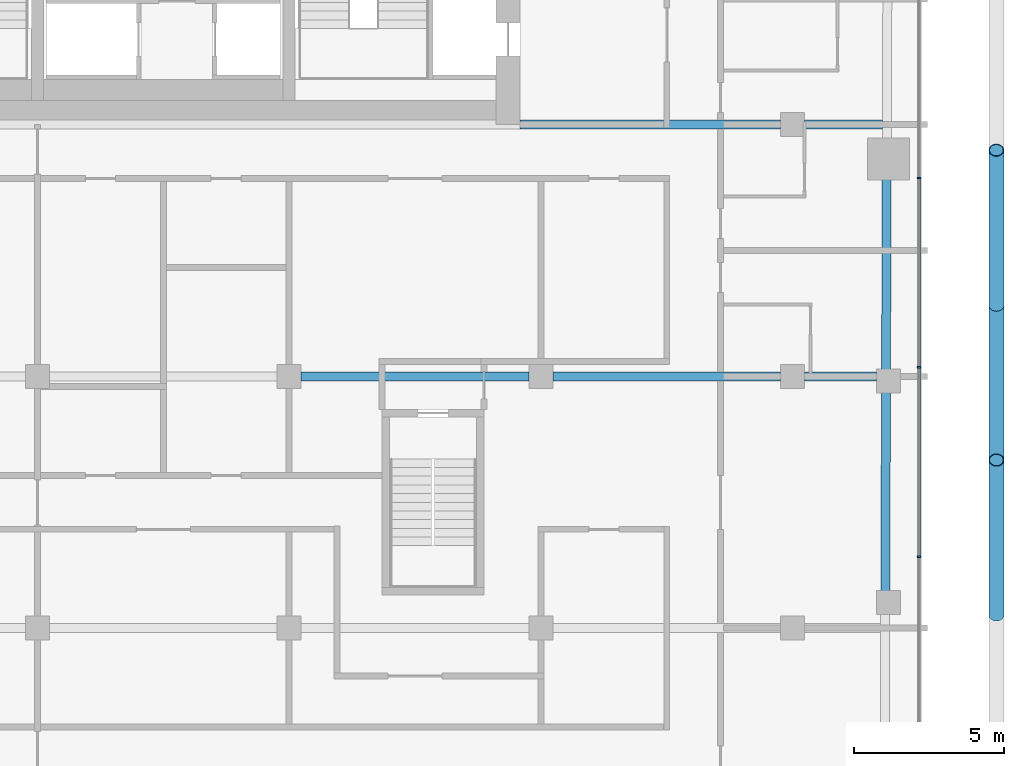
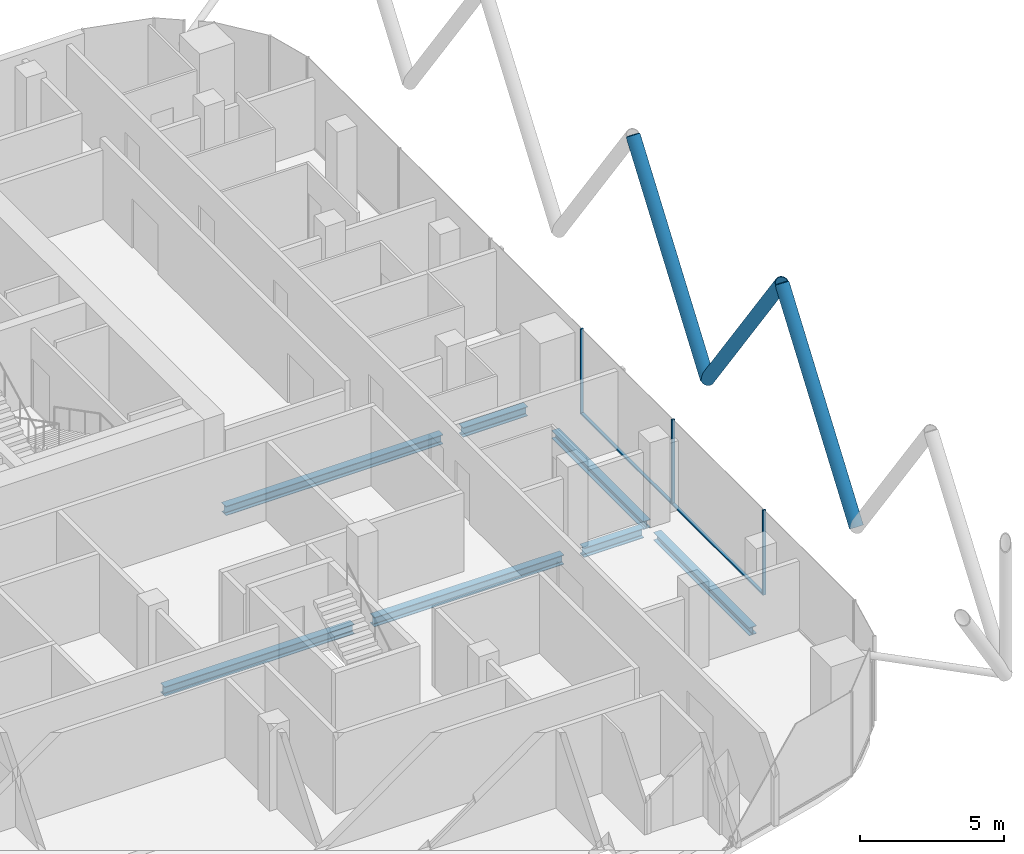
# One storey, part 7 of 28: 8 members, 7 beams, 1 element without a shape of its own.
"""IFC4 building model written with IfcOpenShell, lengths in metres."""

import ifcopenshell
import ifcopenshell.guid

model = None  # the IFC model being written
_history = None  # IfcOwnerHistory: only IFC2X3 demands one
_inside = {}  # id of a spatial element -> (the spatial element, [elements in it])
_under = {}  # id of a project, library or spatial element -> (it, [spatial elements below it])
_declared = {}  # id of a project -> (the project, [libraries it declares])
_typed = {}  # id of a type object -> (the type object, [elements of that type])
_made_of = {}  # id of a material, layer set ... -> (it, [elements and type objects made of it])


def new_model(schema):
    """Start an empty IFC model of exactly this schema.

    Asked for "IFC4X3", IfcOpenShell would pick the latest addendum, in which some entities
    have other attributes; the version numbers below select the first issue.
    IFC2X3 requires an IfcOwnerHistory on every rooted entity: one is made here for all.
    """
    global model, _history
    if schema == "IFC4X3":
        model = ifcopenshell.file(schema_version=(4, 3, 0, 0))
    else:
        model = ifcopenshell.file(schema=schema)
    _inside.clear()
    _under.clear()
    _declared.clear()
    _typed.clear()
    _made_of.clear()
    _history = None
    if model.schema == "IFC2X3":
        org = make("IfcOrganization", Name="unknown")
        user = make(
            "IfcPersonAndOrganization",
            ThePerson=make("IfcPerson", FamilyName="unknown"),
            TheOrganization=org,
        )
        app = make(
            "IfcApplication",
            ApplicationDeveloper=org,
            Version="unknown",
            ApplicationFullName="unknown",
            ApplicationIdentifier="unknown",
        )
        _history = make(
            "IfcOwnerHistory",
            OwningUser=user,
            OwningApplication=app,
            ChangeAction="ADDED",
            CreationDate=0,
        )
    return model


def make(cls, **values):
    """One entity of the class cls with the attributes given. An attribute that is None is left unset."""
    return model.create_entity(
        cls, **{name: value for name, value in values.items() if value is not None}
    )


def rooted(cls, **values):
    """An entity with a GlobalId (a new one), such as an element, a storey or a relation."""
    return make(cls, GlobalId=ifcopenshell.guid.new(), OwnerHistory=_history, **values)


def si_unit(unit_type, name, prefix=None):
    """IfcSIUnit, for example si_unit("LENGTHUNIT", "METRE", prefix="MILLI")."""
    return make("IfcSIUnit", UnitType=unit_type, Prefix=prefix, Name=name)


def assignment(units):
    """IfcUnitAssignment: the units of a project."""
    return None if units is None else make("IfcUnitAssignment", Units=units)


def point(xyz):
    """IfcCartesianPoint."""
    return None if xyz is None else make("IfcCartesianPoint", Coordinates=xyz)


def direction(xyz):
    """IfcDirection."""
    return None if xyz is None else make("IfcDirection", DirectionRatios=xyz)


def frame(location, z_axis=None, x_axis=None):
    """IfcAxis2Placement3D, a coordinate frame: its origin and axes. An axis left out is left unset."""
    return make(
        "IfcAxis2Placement3D",
        Location=point(location),
        Axis=direction(z_axis),
        RefDirection=direction(x_axis),
    )


def frame_2d(location, x_axis=None):
    """IfcAxis2Placement2D, a coordinate frame in the plane: its origin and x axis."""
    return make(
        "IfcAxis2Placement2D", Location=point(location), RefDirection=direction(x_axis)
    )


def origin():
    """The frame at (0, 0, 0) with its axes left unset."""
    return frame((0.0, 0.0, 0.0))


def origin_2d():
    """The frame at (0, 0) in the plane with its x axis left unset."""
    return frame_2d((0.0, 0.0))


def place(relative_to, where):
    """IfcLocalPlacement: puts the frame where relative to a parent placement (None: the world)."""
    return make(
        "IfcLocalPlacement", PlacementRelTo=relative_to, RelativePlacement=where
    )


def context(
    kind, dimensions, precision=None, world=None, true_north=None, identifier=None
):
    """IfcGeometricRepresentationContext, for example the 3D "Model" context."""
    return make(
        "IfcGeometricRepresentationContext",
        ContextIdentifier=identifier,
        ContextType=kind,
        CoordinateSpaceDimension=dimensions,
        Precision=precision,
        WorldCoordinateSystem=world,
        TrueNorth=true_north,
    )


def subcontext(parent, identifier, kind, view, scale=None):
    """IfcGeometricRepresentationSubContext, for example "Body" below "Model"."""
    return make(
        "IfcGeometricRepresentationSubContext",
        ContextIdentifier=identifier,
        ContextType=kind,
        ParentContext=parent,
        TargetScale=scale,
        TargetView=view,
    )


def project(units=None, contexts=None):
    """IfcProject with its units and contexts."""
    return rooted(
        "IfcProject",
        Name="project",
        RepresentationContexts=contexts,
        UnitsInContext=assignment(units),
    )


def spatial(cls, under=None, at=None, **own):
    """A site, building, storey or space (cls), placed at a placement, below another one or the project."""
    s = rooted(cls, ObjectPlacement=at, **own)
    if under is not None:
        _under.setdefault(under.id(), (under, []))[1].append(s)
    return s


def profile(cls, at=None, kind="AREA", **sizes):
    """A parametric profile (cls). Its sizes go by their IFC names, for example OverallWidth=200.0."""
    return make(cls, ProfileType=kind, Position=at, **sizes)


def rectangle(**sizes):
    """IfcRectangleProfileDef."""
    return profile("IfcRectangleProfileDef", **sizes)


def hollow_circle(**sizes):
    """IfcCircleHollowProfileDef."""
    return profile("IfcCircleHollowProfileDef", **sizes)


def i_section(**sizes):
    """IfcIShapeProfileDef."""
    return profile("IfcIShapeProfileDef", **sizes)


def extrude(swept, where, along, depth):
    """IfcExtrudedAreaSolid: the profile swept, set in the frame where, extruded along a direction by depth."""
    return make(
        "IfcExtrudedAreaSolid",
        SweptArea=swept,
        Position=where,
        ExtrudedDirection=direction(along),
        Depth=depth,
    )


def shape(context_of_items, identifier, shape_type, items):
    """IfcShapeRepresentation: the items that make up one representation, for example the "Body"."""
    return make(
        "IfcShapeRepresentation",
        ContextOfItems=context_of_items,
        RepresentationIdentifier=identifier,
        RepresentationType=shape_type,
        Items=items,
    )


def material(Name=None, Category=None):
    """IfcMaterial."""
    return make("IfcMaterial", Name=Name, Category=Category)


def layer(
    of_material, thickness, ventilated=None, Name=None, Category=None, Priority=None
):
    """IfcMaterialLayer: one layer of a wall or slab, of a material (None: an air gap)."""
    return make(
        "IfcMaterialLayer",
        Material=of_material,
        LayerThickness=thickness,
        IsVentilated=ventilated,
        Name=Name,
        Category=Category,
        Priority=Priority,
    )


def layer_set(layers, Name=None):
    """IfcMaterialLayerSet."""
    return make("IfcMaterialLayerSet", MaterialLayers=layers, LayerSetName=Name)


def material_profile(
    of_material, cross_section, Name=None, Category=None, Priority=None
):
    """IfcMaterialProfile: a cross section and its material."""
    return make(
        "IfcMaterialProfile",
        Name=Name,
        Material=of_material,
        Profile=cross_section,
        Priority=Priority,
        Category=Category,
    )


def profile_set(profiles, Name=None, composite=None):
    """IfcMaterialProfileSet."""
    return make(
        "IfcMaterialProfileSet",
        Name=Name,
        MaterialProfiles=profiles,
        CompositeProfile=composite,
    )


def made_of(thing, what):
    """Note that an element or type object is made of a material, layer set ...; save() writes the relation."""
    if what is not None:
        _made_of.setdefault(what.id(), (what, []))[1].append(thing)
    return thing


def type_object(cls, material=None, **own):
    """A type object (cls), such as IfcWallType, which elements share."""
    return made_of(rooted(cls, **own), material)


def element(
    cls,
    number,
    at=None,
    inside=None,
    cuts=None,
    type_object=None,
    material=None,
    context=None,
    identifier="Body",
    shape_type=None,
    held_by="IfcProductDefinitionShape",
    body=None,
    shapes=None,
    **own,
):
    """One element of the class cls, such as IfcWall. Its Tag is "e" and its number.

    at: its placement. inside: the storey or other place that contains it. cuts: it is an
    opening in that element (IfcRelVoidsElement). A single representation is given by context,
    identifier, shape_type and body (its items); several are given by shapes. held_by: the class
    of the entity that holds the representations. save() writes the other relations.
    """
    e = rooted(cls, Tag="e%d" % number, ObjectPlacement=at, **own)
    if body is not None:
        shapes = [shape(context, identifier, shape_type, body)]
    if shapes is not None:
        e.Representation = make(held_by, Representations=shapes)
    if inside is not None:
        _inside.setdefault(inside.id(), (inside, []))[1].append(e)
    if cuts is not None:
        rooted(
            "IfcRelVoidsElement", RelatingBuildingElement=cuts, RelatedOpeningElement=e
        )
    if type_object is not None:
        _typed.setdefault(type_object.id(), (type_object, []))[1].append(e)
    return made_of(e, material)


def aggregate(whole, parts):
    """IfcRelAggregates: a whole, such as a stair, and the parts it consists of."""
    return rooted("IfcRelAggregates", RelatingObject=whole, RelatedObjects=parts)


def save(model, path):
    """Write the relations noted so far, then the file.

    IfcRelAggregates (storeys below a building ...), IfcRelContainedInSpatialStructure (elements
    in a storey), IfcRelDefinesByType, IfcRelAssociatesMaterial and IfcRelDeclares: one each for
    every whole, place, type object, material and project.
    """
    for whole, parts in _under.values():
        aggregate(whole, parts)
    for where, things in _inside.values():
        rooted(
            "IfcRelContainedInSpatialStructure",
            RelatedElements=things,
            RelatingStructure=where,
        )
    for kind, things in _typed.values():
        rooted("IfcRelDefinesByType", RelatedObjects=things, RelatingType=kind)
    for what, things in _made_of.values():
        rooted("IfcRelAssociatesMaterial", RelatedObjects=things, RelatingMaterial=what)
    for by, libraries in _declared.values():
        rooted("IfcRelDeclares", RelatingContext=by, RelatedDefinitions=libraries)
    model.write(path)


model = new_model("IFC4")

# Units and contexts
model_context = context("Model", 3, precision=1e-05, world=origin(), true_north=direction((0.0, 1.0)))
body_context = subcontext(model_context, "Body", "Model", "MODEL_VIEW")
ifc_project = project(units=[si_unit("LENGTHUNIT", "METRE"), si_unit("AREAUNIT", "SQUARE_METRE"), si_unit("VOLUMEUNIT", "CUBIC_METRE"), si_unit("PLANEANGLEUNIT", "RADIAN"), si_unit("MASSUNIT", "GRAM", prefix="KILO")], contexts=[model_context])

# Site, building, storey
site_placement = place(None, origin())
site = spatial("IfcSite", under=ifc_project, at=site_placement, CompositionType="ELEMENT")
building_placement = place(site_placement, origin())
building = spatial("IfcBuilding", under=site, at=building_placement, Name="Marenta Gate Hotel Tower", CompositionType="ELEMENT")
storey_placement = place(building_placement, frame((0.0, 0.0, 241.699951171875)))
storey = spatial("IfcBuildingStorey", under=building, at=storey_placement, Name="L57", CompositionType="ELEMENT", Elevation=241.699951171875)

# Members
ifc_material_1 = material(Name="Steel S355J2W", Category="steel")
ifc_material_profile_1 = material_profile(ifc_material_1, hollow_circle(Radius=0.25390625, WallThickness=0.02490234375, at=origin_2d()), Name="CHS 508x25")
ifc_profile_set_1 = profile_set([ifc_material_profile_1], Name="Steel S355J2W")
member_type_1 = type_object("IfcMemberType", Name="Diagrid diagonal Z3 CHS 508x25", PredefinedType="BRACE", material=ifc_profile_set_1)
member_1_placement = place(storey_placement, frame((27.800048828125, -6.02001953125, 3.14013671875), z_axis=(0.0, 0.583260841117, 0.812284919975), x_axis=(-1.0, 0.0, 0.0)))
element("IfcMember", 1, at=member_1_placement, inside=storey, type_object=member_type_1, Name="L57-DG-6", PredefinedType="BRACE", context=body_context, shape_type="SweptSolid", body=[
    extrude(hollow_circle(Radius=0.25390625, WallThickness=0.02490234375, at=origin_2d()), origin(), (0.0, 0.0, 1.0), 8.86376953125),
])
member_2_placement = place(storey_placement, frame((27.800048828125, -6.02001953125, 3.14013671875), z_axis=(0.0, -0.583279014058, 0.812271870595), x_axis=(1.0, 0.0, 0.0)))
element("IfcMember", 2, at=member_2_placement, inside=storey, type_object=member_type_1, Name="L57-DG-7", PredefinedType="BRACE", context=body_context, shape_type="SweptSolid", body=[
    extrude(hollow_circle(Radius=0.25390625, WallThickness=0.02490234375, at=origin_2d()), origin(), (0.0, 0.0, 1.0), 8.864013671875),
])
member_3_placement = place(storey_placement, frame((27.800048828125, -16.360107421875, 3.14013671875), z_axis=(0.0, 0.583260841117, 0.812284919975), x_axis=(-1.0, 0.0, 0.0)))
element("IfcMember", 3, at=member_3_placement, inside=storey, type_object=member_type_1, Name="L57-DG-8", PredefinedType="BRACE", context=body_context, shape_type="SweptSolid", body=[
    extrude(hollow_circle(Radius=0.25390625, WallThickness=0.02490234375, at=origin_2d()), origin(), (0.0, 0.0, 1.0), 8.86376953125),
])

# Beams
ifc_material_2 = material(Name="Steel S355", Category="steel")
ifc_material_profile_2 = material_profile(ifc_material_2, i_section(OverallWidth=0.300048828125, OverallDepth=0.340087890625, WebThickness=0.011962890625, FlangeThickness=0.021484375, FilletRadius=0.027099609375, at=origin_2d()), Name="HEB 340")
ifc_profile_set_2 = profile_set([ifc_material_profile_2], Name="Steel S355")
beam_type_1 = type_object("IfcBeamType", Name="Edge beam HEB 340", PredefinedType="SPANDREL", material=ifc_profile_set_2)
beam_1_placement = place(storey_placement, frame((24.1396484375, -1.81005859375, -0.429931640625), z_axis=(-0.003328723523, -0.999994459785, 0.0), x_axis=(0.999994459785, -0.003328723523, 0.0)))
element("IfcBeam", 4, at=beam_1_placement, inside=storey, type_object=beam_type_1, Name="L57-EB-25", PredefinedType="SPANDREL", context=body_context, shape_type="SweptSolid", body=[
    extrude(i_section(OverallWidth=0.300048828125, OverallDepth=0.340087890625, WebThickness=0.011962890625, FlangeThickness=0.021484375, FilletRadius=0.027099609375, at=origin_2d()), origin(), (0.0, 0.0, 1.0), 6.380859375),
])
beam_2_placement = place(storey_placement, frame((24.115966796875, -8.910888671875, -0.429931640625), z_axis=(-0.00332539729, -0.999994470851, 0.0), x_axis=(0.999994470851, -0.00332539729, 0.0)))
element("IfcBeam", 5, at=beam_2_placement, inside=storey, type_object=beam_type_1, Name="L57-EB-26", PredefinedType="SPANDREL", context=body_context, shape_type="SweptSolid", body=[
    extrude(i_section(OverallWidth=0.300048828125, OverallDepth=0.340087890625, WebThickness=0.011962890625, FlangeThickness=0.021484375, FilletRadius=0.027099609375, at=origin_2d()), origin(), (0.0, 0.0, 1.0), 6.680908203125),
])
ifc_material_3 = material(Name="Steel S355", Category="steel")
ifc_material_profile_3 = material_profile(ifc_material_3, i_section(OverallWidth=0.300048828125, OverallDepth=0.39990234375, WebThickness=0.013427734375, FlangeThickness=0.02392578125, FilletRadius=0.027099609375, at=origin_2d()), Name="HEB 400")
ifc_profile_set_3 = profile_set([ifc_material_profile_3], Name="Steel S355")
beam_type_2 = type_object("IfcBeamType", Name="Girder HEB 400", PredefinedType="BEAM", material=ifc_profile_set_3)
beam_3_placement = place(storey_placement, frame((4.60009765625, -8.39990234375, -0.4599609375), z_axis=(1.0, 0.0, 0.0), x_axis=(0.0, 1.0, 0.0)))
element("IfcBeam", 6, at=beam_3_placement, inside=storey, type_object=beam_type_2, Name="L57-GD-17", PredefinedType="BEAM", context=body_context, shape_type="SweptSolid", body=[
    extrude(i_section(OverallWidth=0.300048828125, OverallDepth=0.39990234375, WebThickness=0.013427734375, FlangeThickness=0.02392578125, FilletRadius=0.027099609375, at=origin_2d()), origin(), (0.0, 0.0, 1.0), 7.599853515625),
])
beam_4_placement = place(storey_placement, frame((13.0, -8.39990234375, -0.4599609375), z_axis=(1.0, 0.0, 0.0), x_axis=(0.0, 1.0, 0.0)))
element("IfcBeam", 7, at=beam_4_placement, inside=storey, type_object=beam_type_2, Name="L57-GD-18", PredefinedType="BEAM", context=body_context, shape_type="SweptSolid", body=[
    extrude(i_section(OverallWidth=0.300048828125, OverallDepth=0.39990234375, WebThickness=0.013427734375, FlangeThickness=0.02392578125, FilletRadius=0.027099609375, at=origin_2d()), origin(), (0.0, 0.0, 1.0), 7.60009765625),
])
beam_5_placement = place(storey_placement, frame((21.39990234375, -8.39990234375, -0.4599609375), z_axis=(1.0, 0.0, 0.0), x_axis=(0.0, 1.0, 0.0)))
element("IfcBeam", 8, at=beam_5_placement, inside=storey, type_object=beam_type_2, Name="L57-GD-19", PredefinedType="BEAM", context=body_context, shape_type="SweptSolid", body=[
    extrude(i_section(OverallWidth=0.300048828125, OverallDepth=0.39990234375, WebThickness=0.013427734375, FlangeThickness=0.02392578125, FilletRadius=0.027099609375, at=origin_2d()), origin(), (0.0, 0.0, 1.0), 2.400146484375),
])
beam_6_placement = place(storey_placement, frame((11.89990234375, 0.0, -0.4599609375), z_axis=(1.0, 0.0, 0.0), x_axis=(0.0, 1.0, 0.0)))
element("IfcBeam", 9, at=beam_6_placement, inside=storey, type_object=beam_type_2, Name="L57-GD-23", PredefinedType="BEAM", context=body_context, shape_type="SweptSolid", body=[
    extrude(i_section(OverallWidth=0.300048828125, OverallDepth=0.39990234375, WebThickness=0.013427734375, FlangeThickness=0.02392578125, FilletRadius=0.027099609375, at=origin_2d()), origin(), (0.0, 0.0, 1.0), 8.7001953125),
])
beam_7_placement = place(storey_placement, frame((21.39990234375, 0.0, -0.4599609375), z_axis=(1.0, 0.0, 0.0), x_axis=(0.0, 1.0, 0.0)))
element("IfcBeam", 10, at=beam_7_placement, inside=storey, type_object=beam_type_2, Name="L57-GD-24", PredefinedType="BEAM", context=body_context, shape_type="SweptSolid", body=[
    extrude(i_section(OverallWidth=0.300048828125, OverallDepth=0.39990234375, WebThickness=0.013427734375, FlangeThickness=0.02392578125, FilletRadius=0.027099609375, at=origin_2d()), origin(), (0.0, 0.0, 1.0), 2.595703125),
])

# Curtain wall, members
ifc_material_4 = material(Name="Tinted insulated glass in bronze anodised frame", Category="glass")
ifc_layer = layer(ifc_material_4, 0.1201171875)
ifc_layer_set = layer_set([ifc_layer], Name="Tinted insulated glass in bronze anodised frame")
curtain_wall_type = type_object("IfcCurtainWallType", Name="Tower unitised curtain wall CW1", PredefinedType="NOTDEFINED", material=ifc_layer_set)
curtain_wall_placement = place(storey_placement, origin())
curtain_wall = element("IfcCurtainWall", 11, at=curtain_wall_placement, inside=storey, type_object=curtain_wall_type, Name="CW1 run G19", PredefinedType="NOTDEFINED")
ifc_material_5 = material(Name="Bronze anodised aluminium", Category="aluminium")
ifc_material_profile_4 = material_profile(ifc_material_5, rectangle(XDim=0.1201171875, YDim=0.06005859375, at=origin_2d()), Name="Mullion CW1 60x120 bronze anodised aluminium")
ifc_profile_set_4 = profile_set([ifc_material_profile_4], Name="Bronze anodised aluminium")
member_type_2 = type_object("IfcMemberType", Name="Mullion CW1 60x120 bronze anodised aluminium", PredefinedType="MULLION", material=ifc_profile_set_4)
member_4_placement = place(storey_placement, frame((25.214111328125, -14.42138671875, 0.0), z_axis=(0.0, 0.0, 1.0), x_axis=(-1.0, 0.0, 0.0)))
member_4 = element("IfcMember", 12, at=member_4_placement, type_object=member_type_2, Name="CW1 mullion 2", PredefinedType="MULLION", context=body_context, shape_type="SweptSolid", body=[
    extrude(rectangle(XDim=0.1201171875, YDim=0.06005859375, at=origin_2d()), origin(), (0.0, 0.0, 1.0), 3.60009765625),
])
member_5_placement = place(storey_placement, frame((25.214111328125, -8.0986328125, 0.0), z_axis=(0.0, 0.0, 1.0), x_axis=(-1.0, 0.0, 0.0)))
member_5 = element("IfcMember", 13, at=member_5_placement, type_object=member_type_2, Name="CW1 mullion 3", PredefinedType="MULLION", context=body_context, shape_type="SweptSolid", body=[
    extrude(rectangle(XDim=0.1201171875, YDim=0.06005859375, at=origin_2d()), origin(), (0.0, 0.0, 1.0), 3.60009765625),
])
member_6_placement = place(storey_placement, frame((25.214111328125, -1.77587890625, 0.0), z_axis=(0.0, 0.0, 1.0), x_axis=(-1.0, 0.0, 0.0)))
member_6 = element("IfcMember", 14, at=member_6_placement, type_object=member_type_2, Name="CW1 mullion 4", PredefinedType="MULLION", context=body_context, shape_type="SweptSolid", body=[
    extrude(rectangle(XDim=0.1201171875, YDim=0.06005859375, at=origin_2d()), origin(), (0.0, 0.0, 1.0), 3.60009765625),
])
ifc_material_6 = material(Name="Bronze anodised aluminium", Category="aluminium")
ifc_material_profile_5 = material_profile(ifc_material_6, rectangle(XDim=0.1201171875, YDim=0.06005859375, at=origin_2d()), Name="Transom CW1 60x120 bronze anodised aluminium")
ifc_profile_set_5 = profile_set([ifc_material_profile_5], Name="Bronze anodised aluminium")
member_type_3 = type_object("IfcMemberType", Name="Transom CW1 60x120 bronze anodised aluminium", PredefinedType="USERDEFINED", material=ifc_profile_set_5)
member_7_placement = place(storey_placement, frame((25.214111328125, -14.391357421875, 0.030029296875), z_axis=(0.0, 1.0, 0.0), x_axis=(-1.0, 0.0, 0.0)))
member_7 = element("IfcMember", 15, at=member_7_placement, type_object=member_type_3, Name="CW1 transom 2.1", ObjectType="TRANSOM", PredefinedType="USERDEFINED", context=body_context, shape_type="SweptSolid", body=[
    extrude(rectangle(XDim=0.1201171875, YDim=0.06005859375, at=origin_2d()), origin(), (0.0, 0.0, 1.0), 6.2626953125),
])
member_8_placement = place(storey_placement, frame((25.214111328125, -8.068603515625, 0.030029296875), z_axis=(0.0, 1.0, 0.0), x_axis=(-1.0, 0.0, 0.0)))
member_8 = element("IfcMember", 16, at=member_8_placement, type_object=member_type_3, Name="CW1 transom 3.1", ObjectType="TRANSOM", PredefinedType="USERDEFINED", context=body_context, shape_type="SweptSolid", body=[
    extrude(rectangle(XDim=0.1201171875, YDim=0.06005859375, at=origin_2d()), origin(), (0.0, 0.0, 1.0), 6.2626953125),
])
aggregate(curtain_wall, [member_4, member_5, member_6, member_7, member_8])

save(model, "model.ifc")
